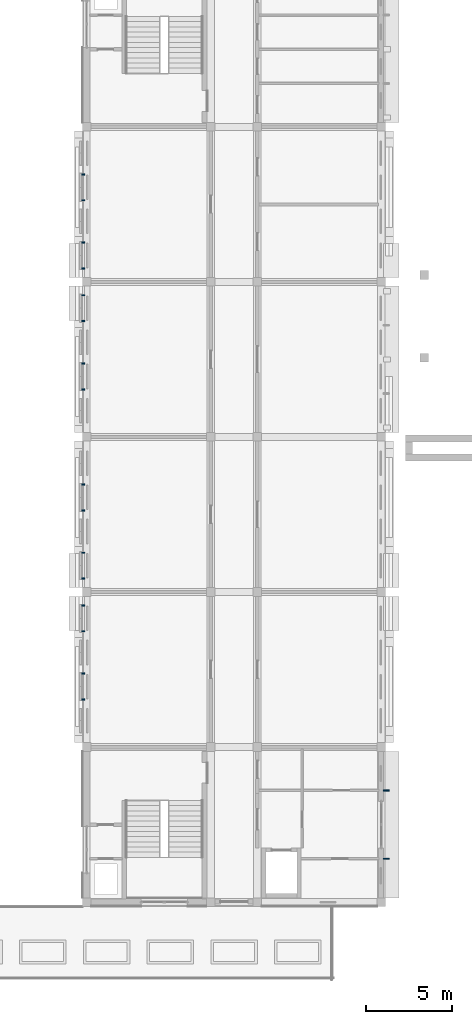
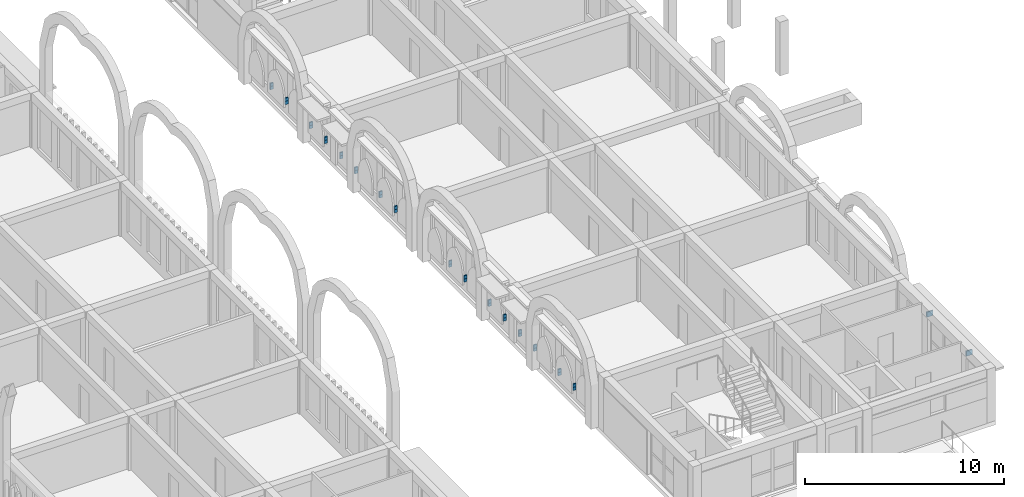
# One storey, part 66 of 82: 34 discrete accessories.
"""IFC4 building model written with IfcOpenShell, lengths in metres."""

from ifc_helpers import new_model, si_unit, direction, frame, origin, origin_2d, place, context, subcontext, project, spatial, rectangle, extrude, material, type_object, element, save


model = new_model("IFC4")

# Units and contexts
model_context = context("Model", 3, precision=1e-05, world=origin(), true_north=direction((0.0, 1.0)))
body_context = subcontext(model_context, "Body", "Model", "MODEL_VIEW")
ifc_project = project(units=[si_unit("LENGTHUNIT", "METRE"), si_unit("AREAUNIT", "SQUARE_METRE"), si_unit("VOLUMEUNIT", "CUBIC_METRE"), si_unit("PLANEANGLEUNIT", "RADIAN"), si_unit("MASSUNIT", "GRAM", prefix="KILO")], contexts=[model_context])

# Site, building, storey
site_placement = place(None, origin())
site = spatial("IfcSite", under=ifc_project, at=site_placement, CompositionType="ELEMENT")
building_placement = place(site_placement, origin())
building = spatial("IfcBuilding", under=site, at=building_placement, Name="Elbe Cascade School", CompositionType="ELEMENT")
storey_placement = place(building_placement, frame((0.0, 0.0, 4.5)))
storey = spatial("IfcBuildingStorey", under=building, at=storey_placement, Name="L01", CompositionType="ELEMENT", Elevation=4.5)

# Discrete accessories
ifc_material = material(Name="Steel S355J2, hot-dip galvanised", Category="steel")
discrete_accessory_type = type_object("IfcDiscreteAccessoryType", Name="Bars envelope Bracket, galvanised steel", PredefinedType="BRACKET", material=ifc_material)
for number, where, z_axis, x_axis, name in (
    (1, (157.590087890625, 17.760009765625, 0.75), (0.0, 0.0, 1.0), (0.0, 1.0, 0.0), "Bracket AC7 jali.w.2.br2ll"),
    (2, (157.590087890625, 17.760009765625, 0.93994140625), (0.0, 0.0, 1.0), (0.0, 1.0, 0.0), "Bracket AC7 jali.w.2.br2lu"),
    (3, (157.590087890625, 19.260009765625, 0.75), (0.0, 0.0, 1.0), (0.0, 1.0, 0.0), "Bracket AC7 jali.w.2.br2rl"),
    (4, (157.590087890625, 19.260009765625, 0.93994140625), (0.0, 0.0, 1.0), (0.0, 1.0, 0.0), "Bracket AC7 jali.w.2.br2ru"),
    (5, (157.590087890625, 21.719970703125, 0.75), (0.0, 0.0, 1.0), (0.0, 1.0, 0.0), "Bracket AC7 jali.w.2.br4ll"),
    (6, (157.590087890625, 21.719970703125, 0.93994140625), (0.0, 0.0, 1.0), (0.0, 1.0, 0.0), "Bracket AC7 jali.w.2.br4lu"),
    (7, (157.590087890625, 23.219970703125, 0.75), (0.0, 0.0, 1.0), (0.0, 1.0, 0.0), "Bracket AC7 jali.w.2.br4rl"),
    (8, (157.590087890625, 23.219970703125, 0.93994140625), (0.0, 0.0, 1.0), (0.0, 1.0, 0.0), "Bracket AC7 jali.w.2.br4ru"),
    (9, (157.590087890625, 24.780029296875, 0.75), (0.0, 0.0, 1.0), (0.0, 1.0, 0.0), "Bracket AC7 jali.w.3.br1ll"),
    (10, (157.590087890625, 24.780029296875, 0.93994140625), (0.0, 0.0, 1.0), (0.0, 1.0, 0.0), "Bracket AC7 jali.w.3.br1lu"),
    (11, (157.590087890625, 26.280029296875, 0.75), (0.0, 0.0, 1.0), (0.0, 1.0, 0.0), "Bracket AC7 jali.w.3.br1rl"),
    (12, (157.590087890625, 26.280029296875, 0.93994140625), (0.0, 0.0, 1.0), (0.0, 1.0, 0.0), "Bracket AC7 jali.w.3.br1ru"),
    (13, (157.590087890625, 28.739990234375, 0.75), (0.0, 0.0, 1.0), (0.0, 1.0, 0.0), "Bracket AC7 jali.w.3.br3ll"),
    (14, (157.590087890625, 28.739990234375, 0.93994140625), (0.0, 0.0, 1.0), (0.0, 1.0, 0.0), "Bracket AC7 jali.w.3.br3lu"),
    (15, (157.590087890625, 30.239990234375, 0.75), (0.0, 0.0, 1.0), (0.0, 1.0, 0.0), "Bracket AC7 jali.w.3.br3rl"),
    (16, (157.590087890625, 30.239990234375, 0.93994140625), (0.0, 0.0, 1.0), (0.0, 1.0, 0.0), "Bracket AC7 jali.w.3.br3ru"),
    (17, (157.590087890625, 35.760009765625, 0.75), (0.0, 0.0, 1.0), (0.0, 1.0, 0.0), "Bracket AC7 jali.w.4.br2ll"),
    (18, (157.590087890625, 35.760009765625, 0.93994140625), (0.0, 0.0, 1.0), (0.0, 1.0, 0.0), "Bracket AC7 jali.w.4.br2lu"),
    (19, (157.590087890625, 37.260009765625, 0.75), (0.0, 0.0, 1.0), (0.0, 1.0, 0.0), "Bracket AC7 jali.w.4.br2rl"),
    (20, (157.590087890625, 37.260009765625, 0.93994140625), (0.0, 0.0, 1.0), (0.0, 1.0, 0.0), "Bracket AC7 jali.w.4.br2ru"),
    (21, (157.590087890625, 39.719970703125, 0.75), (0.0, 0.0, 1.0), (0.0, 1.0, 0.0), "Bracket AC7 jali.w.4.br4ll"),
    (22, (157.590087890625, 39.719970703125, 0.93994140625), (0.0, 0.0, 1.0), (0.0, 1.0, 0.0), "Bracket AC7 jali.w.4.br4lu"),
    (23, (157.590087890625, 41.219970703125, 0.75), (0.0, 0.0, 1.0), (0.0, 1.0, 0.0), "Bracket AC7 jali.w.4.br4rl"),
    (24, (157.590087890625, 41.219970703125, 0.93994140625), (0.0, 0.0, 1.0), (0.0, 1.0, 0.0), "Bracket AC7 jali.w.4.br4ru"),
    (25, (157.590087890625, 42.780029296875, 0.75), (0.0, 0.0, 1.0), (0.0, 1.0, 0.0), "Bracket AC7 jali.w.5.br1ll"),
    (26, (157.590087890625, 42.780029296875, 0.93994140625), (0.0, 0.0, 1.0), (0.0, 1.0, 0.0), "Bracket AC7 jali.w.5.br1lu"),
    (27, (157.590087890625, 44.280029296875, 0.75), (0.0, 0.0, 1.0), (0.0, 1.0, 0.0), "Bracket AC7 jali.w.5.br1rl"),
    (28, (157.590087890625, 44.280029296875, 0.93994140625), (0.0, 0.0, 1.0), (0.0, 1.0, 0.0), "Bracket AC7 jali.w.5.br1ru"),
    (29, (157.590087890625, 46.739990234375, 0.75), (0.0, 0.0, 1.0), (0.0, 1.0, 0.0), "Bracket AC7 jali.w.5.br3ll"),
    (30, (157.590087890625, 46.739990234375, 0.93994140625), (0.0, 0.0, 1.0), (0.0, 1.0, 0.0), "Bracket AC7 jali.w.5.br3lu"),
    (31, (157.590087890625, 48.239990234375, 0.75), (0.0, 0.0, 1.0), (0.0, 1.0, 0.0), "Bracket AC7 jali.w.5.br3rl"),
    (32, (157.590087890625, 48.239990234375, 0.93994140625), (0.0, 0.0, 1.0), (0.0, 1.0, 0.0), "Bracket AC7 jali.w.5.br3ru"),
):
    element("IfcDiscreteAccessory", number, at=place(storey_placement, frame(where, z_axis=z_axis, x_axis=x_axis)), inside=storey, type_object=discrete_accessory_type, Name=name, PredefinedType="BRACKET", context=body_context, shape_type="SweptSolid", body=[
        extrude(rectangle(XDim=0.080078125, YDim=0.179931640625, at=origin_2d()), origin(), (0.0, 0.0, 1.0), 0.199951171875),
    ])
for number, where, z_axis, x_axis, name in (
    (33, (175.195068359375, 8.52001953125, 2.330078125), (0.0, 0.0, 1.0), (0.0, 1.0, 0.0), "Bracket AC7 eave.e.1.br1"),
    (34, (175.195068359375, 12.47998046875, 2.330078125), (0.0, 0.0, 1.0), (0.0, 1.0, 0.0), "Bracket AC7 eave.e.1.br2"),
):
    element("IfcDiscreteAccessory", number, at=place(storey_placement, frame(where, z_axis=z_axis, x_axis=x_axis)), inside=storey, type_object=discrete_accessory_type, Name=name, PredefinedType="BRACKET", context=body_context, shape_type="SweptSolid", body=[
        extrude(rectangle(XDim=0.080078125, YDim=0.35009765625, at=origin_2d()), origin(), (0.0, 0.0, 1.0), 0.300048828125),
    ])

save(model, "model.ifc")
